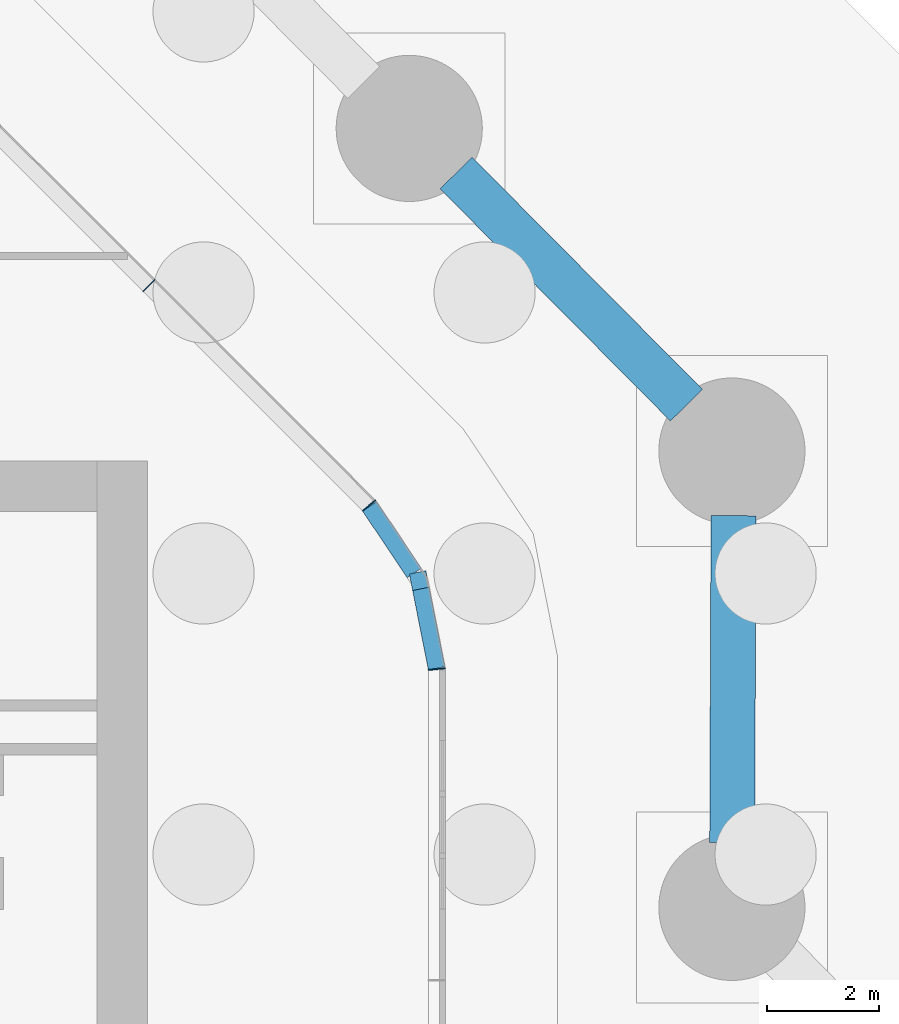
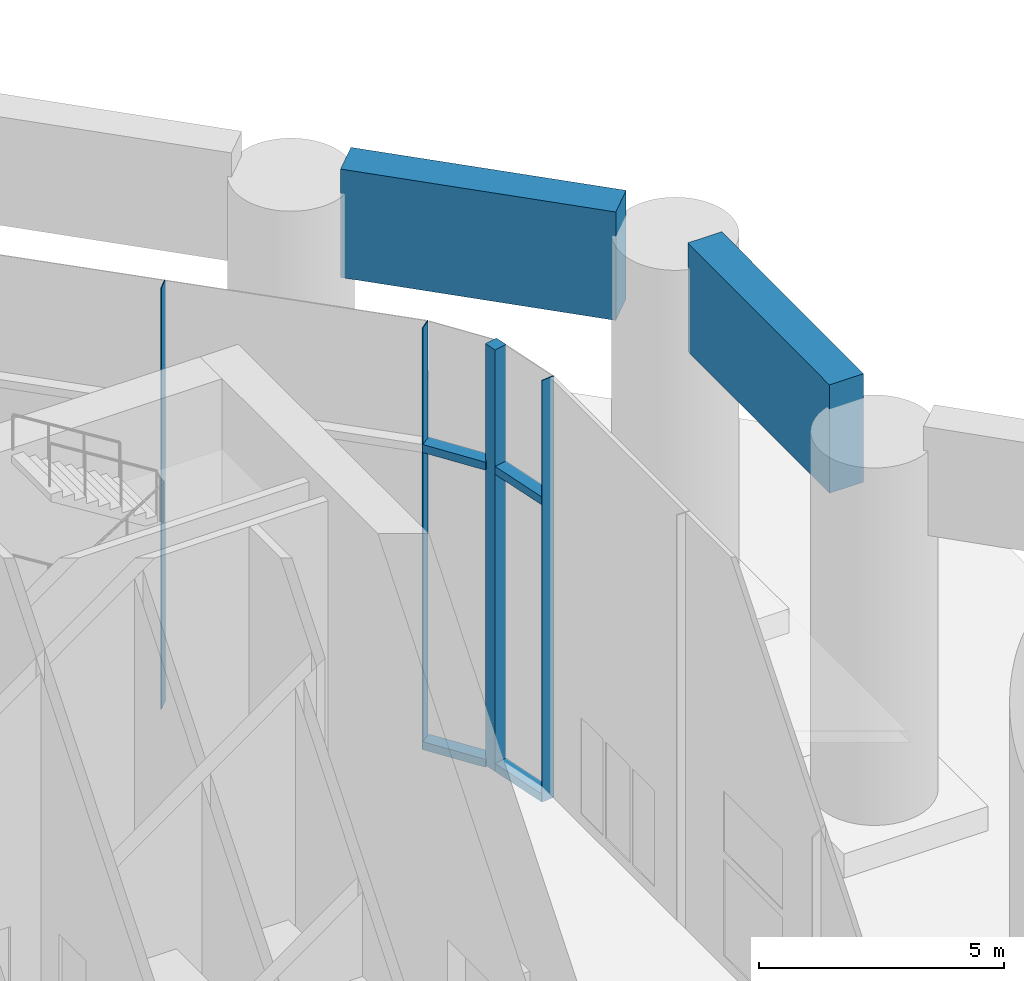
# One storey, part 15 of 31: 8 members, 2 beams, 4 elements without a shape of their own.
"""IFC4 building model written with IfcOpenShell, lengths in metres."""

import ifcopenshell
import ifcopenshell.guid

model = None  # the IFC model being written
_history = None  # IfcOwnerHistory: only IFC2X3 demands one
_inside = {}  # id of a spatial element -> (the spatial element, [elements in it])
_under = {}  # id of a project, library or spatial element -> (it, [spatial elements below it])
_declared = {}  # id of a project -> (the project, [libraries it declares])
_typed = {}  # id of a type object -> (the type object, [elements of that type])
_made_of = {}  # id of a material, layer set ... -> (it, [elements and type objects made of it])


def new_model(schema):
    """Start an empty IFC model of exactly this schema.

    Asked for "IFC4X3", IfcOpenShell would pick the latest addendum, in which some entities
    have other attributes; the version numbers below select the first issue.
    IFC2X3 requires an IfcOwnerHistory on every rooted entity: one is made here for all.
    """
    global model, _history
    if schema == "IFC4X3":
        model = ifcopenshell.file(schema_version=(4, 3, 0, 0))
    else:
        model = ifcopenshell.file(schema=schema)
    _inside.clear()
    _under.clear()
    _declared.clear()
    _typed.clear()
    _made_of.clear()
    _history = None
    if model.schema == "IFC2X3":
        org = make("IfcOrganization", Name="unknown")
        user = make(
            "IfcPersonAndOrganization",
            ThePerson=make("IfcPerson", FamilyName="unknown"),
            TheOrganization=org,
        )
        app = make(
            "IfcApplication",
            ApplicationDeveloper=org,
            Version="unknown",
            ApplicationFullName="unknown",
            ApplicationIdentifier="unknown",
        )
        _history = make(
            "IfcOwnerHistory",
            OwningUser=user,
            OwningApplication=app,
            ChangeAction="ADDED",
            CreationDate=0,
        )
    return model


def make(cls, **values):
    """One entity of the class cls with the attributes given. An attribute that is None is left unset."""
    return model.create_entity(
        cls, **{name: value for name, value in values.items() if value is not None}
    )


def rooted(cls, **values):
    """An entity with a GlobalId (a new one), such as an element, a storey or a relation."""
    return make(cls, GlobalId=ifcopenshell.guid.new(), OwnerHistory=_history, **values)


def si_unit(unit_type, name, prefix=None):
    """IfcSIUnit, for example si_unit("LENGTHUNIT", "METRE", prefix="MILLI")."""
    return make("IfcSIUnit", UnitType=unit_type, Prefix=prefix, Name=name)


def assignment(units):
    """IfcUnitAssignment: the units of a project."""
    return None if units is None else make("IfcUnitAssignment", Units=units)


def point(xyz):
    """IfcCartesianPoint."""
    return None if xyz is None else make("IfcCartesianPoint", Coordinates=xyz)


def direction(xyz):
    """IfcDirection."""
    return None if xyz is None else make("IfcDirection", DirectionRatios=xyz)


def frame(location, z_axis=None, x_axis=None):
    """IfcAxis2Placement3D, a coordinate frame: its origin and axes. An axis left out is left unset."""
    return make(
        "IfcAxis2Placement3D",
        Location=point(location),
        Axis=direction(z_axis),
        RefDirection=direction(x_axis),
    )


def frame_2d(location, x_axis=None):
    """IfcAxis2Placement2D, a coordinate frame in the plane: its origin and x axis."""
    return make(
        "IfcAxis2Placement2D", Location=point(location), RefDirection=direction(x_axis)
    )


def origin():
    """The frame at (0, 0, 0) with its axes left unset."""
    return frame((0.0, 0.0, 0.0))


def origin_2d():
    """The frame at (0, 0) in the plane with its x axis left unset."""
    return frame_2d((0.0, 0.0))


def place(relative_to, where):
    """IfcLocalPlacement: puts the frame where relative to a parent placement (None: the world)."""
    return make(
        "IfcLocalPlacement", PlacementRelTo=relative_to, RelativePlacement=where
    )


def context(
    kind, dimensions, precision=None, world=None, true_north=None, identifier=None
):
    """IfcGeometricRepresentationContext, for example the 3D "Model" context."""
    return make(
        "IfcGeometricRepresentationContext",
        ContextIdentifier=identifier,
        ContextType=kind,
        CoordinateSpaceDimension=dimensions,
        Precision=precision,
        WorldCoordinateSystem=world,
        TrueNorth=true_north,
    )


def subcontext(parent, identifier, kind, view, scale=None):
    """IfcGeometricRepresentationSubContext, for example "Body" below "Model"."""
    return make(
        "IfcGeometricRepresentationSubContext",
        ContextIdentifier=identifier,
        ContextType=kind,
        ParentContext=parent,
        TargetScale=scale,
        TargetView=view,
    )


def project(units=None, contexts=None):
    """IfcProject with its units and contexts."""
    return rooted(
        "IfcProject",
        Name="project",
        RepresentationContexts=contexts,
        UnitsInContext=assignment(units),
    )


def spatial(cls, under=None, at=None, **own):
    """A site, building, storey or space (cls), placed at a placement, below another one or the project."""
    s = rooted(cls, ObjectPlacement=at, **own)
    if under is not None:
        _under.setdefault(under.id(), (under, []))[1].append(s)
    return s


def profile(cls, at=None, kind="AREA", **sizes):
    """A parametric profile (cls). Its sizes go by their IFC names, for example OverallWidth=200.0."""
    return make(cls, ProfileType=kind, Position=at, **sizes)


def rectangle(**sizes):
    """IfcRectangleProfileDef."""
    return profile("IfcRectangleProfileDef", **sizes)


def extrude(swept, where, along, depth):
    """IfcExtrudedAreaSolid: the profile swept, set in the frame where, extruded along a direction by depth."""
    return make(
        "IfcExtrudedAreaSolid",
        SweptArea=swept,
        Position=where,
        ExtrudedDirection=direction(along),
        Depth=depth,
    )


def shape(context_of_items, identifier, shape_type, items):
    """IfcShapeRepresentation: the items that make up one representation, for example the "Body"."""
    return make(
        "IfcShapeRepresentation",
        ContextOfItems=context_of_items,
        RepresentationIdentifier=identifier,
        RepresentationType=shape_type,
        Items=items,
    )


def material(Name=None, Category=None):
    """IfcMaterial."""
    return make("IfcMaterial", Name=Name, Category=Category)


def material_profile(
    of_material, cross_section, Name=None, Category=None, Priority=None
):
    """IfcMaterialProfile: a cross section and its material."""
    return make(
        "IfcMaterialProfile",
        Name=Name,
        Material=of_material,
        Profile=cross_section,
        Priority=Priority,
        Category=Category,
    )


def profile_set(profiles, Name=None, composite=None):
    """IfcMaterialProfileSet."""
    return make(
        "IfcMaterialProfileSet",
        Name=Name,
        MaterialProfiles=profiles,
        CompositeProfile=composite,
    )


def made_of(thing, what):
    """Note that an element or type object is made of a material, layer set ...; save() writes the relation."""
    if what is not None:
        _made_of.setdefault(what.id(), (what, []))[1].append(thing)
    return thing


def type_object(cls, material=None, **own):
    """A type object (cls), such as IfcWallType, which elements share."""
    return made_of(rooted(cls, **own), material)


def element(
    cls,
    number,
    at=None,
    inside=None,
    cuts=None,
    type_object=None,
    material=None,
    context=None,
    identifier="Body",
    shape_type=None,
    held_by="IfcProductDefinitionShape",
    body=None,
    shapes=None,
    **own,
):
    """One element of the class cls, such as IfcWall. Its Tag is "e" and its number.

    at: its placement. inside: the storey or other place that contains it. cuts: it is an
    opening in that element (IfcRelVoidsElement). A single representation is given by context,
    identifier, shape_type and body (its items); several are given by shapes. held_by: the class
    of the entity that holds the representations. save() writes the other relations.
    """
    e = rooted(cls, Tag="e%d" % number, ObjectPlacement=at, **own)
    if body is not None:
        shapes = [shape(context, identifier, shape_type, body)]
    if shapes is not None:
        e.Representation = make(held_by, Representations=shapes)
    if inside is not None:
        _inside.setdefault(inside.id(), (inside, []))[1].append(e)
    if cuts is not None:
        rooted(
            "IfcRelVoidsElement", RelatingBuildingElement=cuts, RelatedOpeningElement=e
        )
    if type_object is not None:
        _typed.setdefault(type_object.id(), (type_object, []))[1].append(e)
    return made_of(e, material)


def aggregate(whole, parts):
    """IfcRelAggregates: a whole, such as a stair, and the parts it consists of."""
    return rooted("IfcRelAggregates", RelatingObject=whole, RelatedObjects=parts)


def save(model, path):
    """Write the relations noted so far, then the file.

    IfcRelAggregates (storeys below a building ...), IfcRelContainedInSpatialStructure (elements
    in a storey), IfcRelDefinesByType, IfcRelAssociatesMaterial and IfcRelDeclares: one each for
    every whole, place, type object, material and project.
    """
    for whole, parts in _under.values():
        aggregate(whole, parts)
    for where, things in _inside.values():
        rooted(
            "IfcRelContainedInSpatialStructure",
            RelatedElements=things,
            RelatingStructure=where,
        )
    for kind, things in _typed.values():
        rooted("IfcRelDefinesByType", RelatedObjects=things, RelatingType=kind)
    for what, things in _made_of.values():
        rooted("IfcRelAssociatesMaterial", RelatedObjects=things, RelatingMaterial=what)
    for by, libraries in _declared.values():
        rooted("IfcRelDeclares", RelatingContext=by, RelatedDefinitions=libraries)
    model.write(path)


model = new_model("IFC4")

# Units and contexts
model_context = context("Model", 3, precision=1e-05, world=origin(), true_north=direction((0.0, 1.0)))
body_context = subcontext(model_context, "Body", "Model", "MODEL_VIEW")
ifc_project = project(units=[si_unit("LENGTHUNIT", "METRE"), si_unit("AREAUNIT", "SQUARE_METRE"), si_unit("VOLUMEUNIT", "CUBIC_METRE"), si_unit("PLANEANGLEUNIT", "RADIAN"), si_unit("MASSUNIT", "GRAM", prefix="KILO")], contexts=[model_context])

# Site, building, storey
site_placement = place(None, origin())
site = spatial("IfcSite", under=ifc_project, at=site_placement, CompositionType="ELEMENT")
building_placement = place(site_placement, origin())
building = spatial("IfcBuilding", under=site, at=building_placement, Name="Orlundy Tower", CompositionType="ELEMENT")
storey_placement = place(building_placement, origin())
storey = spatial("IfcBuildingStorey", under=building, at=storey_placement, Name="L00", CompositionType="ELEMENT", Elevation=0.0)

# Curtain wall, member
ifc_material_1 = material(Name="Aluminium bronze anodised", Category="aluminium")
curtain_wall_type = type_object("IfcCurtainWallType", Name="CW3 wall", PredefinedType="NOTDEFINED", material=ifc_material_1)
curtain_wall_1_placement = place(storey_placement, origin())
curtain_wall_1 = element("IfcCurtainWall", 1, at=curtain_wall_1_placement, inside=storey, type_object=curtain_wall_type, Name="CW3 run 016", PredefinedType="NOTDEFINED")
ifc_material_2 = material(Name="Aluminium bronze anodised", Category="aluminium")
ifc_material_profile_1 = material_profile(ifc_material_2, rectangle(XDim=0.300048828125, YDim=0.300048828125, at=origin_2d()), Name="CW3 corner post 300x300")
ifc_profile_set_1 = profile_set([ifc_material_profile_1], Name="Aluminium bronze anodised")
member_type_1 = type_object("IfcMemberType", Name="CW3 corner post 300x300", PredefinedType="MULLION", material=ifc_profile_set_1)
member_1_placement = place(storey_placement, frame((23.83740234375, 9.87353515625, -0.39990234375), z_axis=(0.0, 0.0, 1.0), x_axis=(0.980850787713, 0.19476070508, 0.0)))
member_1 = element("IfcMember", 2, at=member_1_placement, type_object=member_type_1, Name="CW3 mullion 27", PredefinedType="MULLION", context=body_context, shape_type="SweptSolid", body=[
    extrude(rectangle(XDim=0.300048828125, YDim=0.300048828125, at=origin_2d()), origin(), (0.0, 0.0, 1.0), 10.5),
])

curtain_wall_2_placement = place(storey_placement, origin())
curtain_wall_2 = element("IfcCurtainWall", 3, at=curtain_wall_2_placement, inside=storey, type_object=curtain_wall_type, Name="CW3 run 014", PredefinedType="NOTDEFINED")
ifc_material_3 = material(Name="Toughened glass", Category="glass")
ifc_material_profile_2 = material_profile(ifc_material_3, rectangle(XDim=0.300048828125, YDim=0.01904296875, at=origin_2d()), Name="CW3 glass fin 19x300")
ifc_profile_set_2 = profile_set([ifc_material_profile_2], Name="Toughened glass")
member_type_2 = type_object("IfcMemberType", Name="CW3 glass fin 19x300", PredefinedType="MULLION", material=ifc_profile_set_2)
member_2_placement = place(storey_placement, frame((19.02880859375, 15.123291015625, -0.39990234375), z_axis=(0.0, 0.0, 1.0), x_axis=(0.707106781187, 0.707106781187, 0.0)))
member_2 = element("IfcMember", 4, at=member_2_placement, type_object=member_type_2, Name="CW3 mullion 25", PredefinedType="MULLION", context=body_context, shape_type="SweptSolid", body=[
    extrude(rectangle(XDim=0.300048828125, YDim=0.01904296875, at=origin_2d()), origin(), (0.0, 0.0, 1.0), 10.5),
])
aggregate(curtain_wall_2, [member_2])

curtain_wall_3_placement = place(storey_placement, origin())
curtain_wall_3 = element("IfcCurtainWall", 5, at=curtain_wall_3_placement, inside=storey, type_object=curtain_wall_type, Name="CW3 run 015", PredefinedType="NOTDEFINED")
member_3_placement = place(storey_placement, frame((22.944580078125, 11.207763671875, -0.39990234375), z_axis=(0.0, 0.0, 1.0), x_axis=(0.772778491315, 0.63467582541, 0.0)))
member_3 = element("IfcMember", 6, at=member_3_placement, type_object=member_type_2, Name="CW3 mullion 26", PredefinedType="MULLION", context=body_context, shape_type="SweptSolid", body=[
    extrude(rectangle(XDim=0.300048828125, YDim=0.01904296875, at=origin_2d()), origin(), (0.0, 0.0, 1.0), 10.5),
])

curtain_wall_4_placement = place(storey_placement, origin())
curtain_wall_4 = element("IfcCurtainWall", 7, at=curtain_wall_4_placement, inside=storey, type_object=curtain_wall_type, Name="CW3 run 017", PredefinedType="NOTDEFINED")
member_4_placement = place(storey_placement, frame((24.14990234375, 8.298828125, -0.39990234375), z_axis=(0.0, 0.0, 1.0), x_axis=(0.995201182604, 0.097849916421, 0.0)))
member_4 = element("IfcMember", 8, at=member_4_placement, type_object=member_type_2, Name="CW3 mullion 28", PredefinedType="MULLION", context=body_context, shape_type="SweptSolid", body=[
    extrude(rectangle(XDim=0.300048828125, YDim=0.01904296875, at=origin_2d()), origin(), (0.0, 0.0, 1.0), 10.5),
])
aggregate(curtain_wall_4, [member_4])

# Member
ifc_material_4 = material(Name="Aluminium bronze anodised", Category="aluminium")
ifc_material_profile_3 = material_profile(ifc_material_4, rectangle(XDim=0.300048828125, YDim=0.199951171875, at=origin_2d()), Name="CW3 transom 300x200")
ifc_profile_set_3 = profile_set([ifc_material_profile_3], Name="Aluminium bronze anodised")
member_type_3 = type_object("IfcMemberType", Name="CW3 transom 300x200", PredefinedType="USERDEFINED", material=ifc_profile_set_3)
member_5_placement = place(storey_placement, frame((22.95263671875, 11.1953125, -0.300048828125), z_axis=(0.556277215414, -0.830996786763, 0.0), x_axis=(0.830996786763, 0.556277215414, 0.0)))
member_5 = element("IfcMember", 9, at=member_5_placement, type_object=member_type_3, Name="CW3 transom", ObjectType="TRANSOM", PredefinedType="USERDEFINED", context=body_context, shape_type="SweptSolid", body=[
    extrude(rectangle(XDim=0.300048828125, YDim=0.199951171875, at=origin_2d()), origin(), (0.0, 0.0, 1.0), 1.42822265625),
])

member_6_placement = place(storey_placement, frame((22.95263671875, 11.1953125, 7.10009765625), z_axis=(0.556277215414, -0.830996786763, 0.0), x_axis=(0.830996786763, 0.556277215414, 0.0)))
member_6 = element("IfcMember", 10, at=member_6_placement, type_object=member_type_3, Name="CW3 transom", ObjectType="TRANSOM", PredefinedType="USERDEFINED", context=body_context, shape_type="SweptSolid", body=[
    extrude(rectangle(XDim=0.300048828125, YDim=0.199951171875, at=origin_2d()), origin(), (0.0, 0.0, 1.0), 1.42822265625),
])

aggregate(curtain_wall_3, [member_3, member_5, member_6])

member_7_placement = place(storey_placement, frame((23.866455078125, 9.726318359375, -0.300048828125), z_axis=(0.194877625942, -0.980827564308, 0.0), x_axis=(0.980827564308, 0.194877625942, 0.0)))
member_7 = element("IfcMember", 11, at=member_7_placement, type_object=member_type_3, Name="CW3 transom", ObjectType="TRANSOM", PredefinedType="USERDEFINED", context=body_context, shape_type="SweptSolid", body=[
    extrude(rectangle(XDim=0.300048828125, YDim=0.199951171875, at=origin_2d()), origin(), (0.0, 0.0, 1.0), 1.440673828125),
])

member_8_placement = place(storey_placement, frame((23.866455078125, 9.726318359375, 7.10009765625), z_axis=(0.194877625942, -0.980827564308, 0.0), x_axis=(0.980827564308, 0.194877625942, 0.0)))
member_8 = element("IfcMember", 12, at=member_8_placement, type_object=member_type_3, Name="CW3 transom", ObjectType="TRANSOM", PredefinedType="USERDEFINED", context=body_context, shape_type="SweptSolid", body=[
    extrude(rectangle(XDim=0.300048828125, YDim=0.199951171875, at=origin_2d()), origin(), (0.0, 0.0, 1.0), 1.440673828125),
])

aggregate(curtain_wall_1, [member_1, member_7, member_8])

# Beams
ifc_material_5 = material(Name="Concrete C80/95", Category="concrete")
ifc_material_profile_4 = material_profile(ifc_material_5, rectangle(XDim=0.800048828125, YDim=2.699951171875, at=origin_2d()), Name="RC800X2700")
ifc_profile_set_4 = profile_set([ifc_material_profile_4], Name="Concrete C80/95")
beam_type = type_object("IfcBeamType", Name="RC FASCIA BEAM RC800X2700 C80/95", PredefinedType="BEAM", material=ifc_profile_set_4)
for number, where, z_axis, x_axis, name in (
    (13, (24.491943359375, 17.1259765625, 8.75), (0.704227144198, -0.709974738547, 0.0), (0.709974738547, 0.704227144198, 0.0), "Fascia beam 26"),
    (14, (29.42822265625, 11.0283203125, 8.75), (-0.004027488732, -0.999991889634, 0.0), (0.999991889634, -0.004027488732, 0.0), "Fascia beam 27"),
):
    element("IfcBeam", number, at=place(storey_placement, frame(where, z_axis=z_axis, x_axis=x_axis)), inside=storey, type_object=beam_type, Name=name, PredefinedType="BEAM", context=body_context, shape_type="SweptSolid", body=[
        extrude(rectangle(XDim=0.800048828125, YDim=2.699951171875, at=origin_2d()), origin(), (0.0, 0.0, 1.0), 5.8193359375),
    ])

save(model, "model.ifc")
